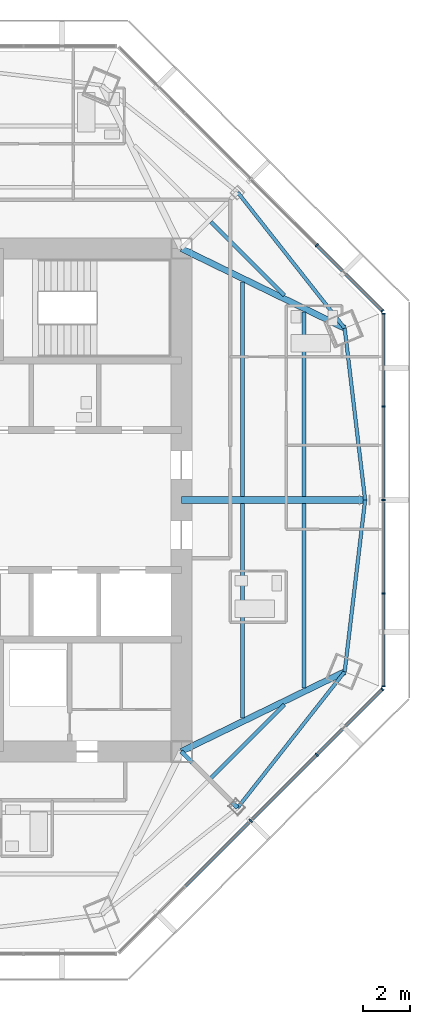
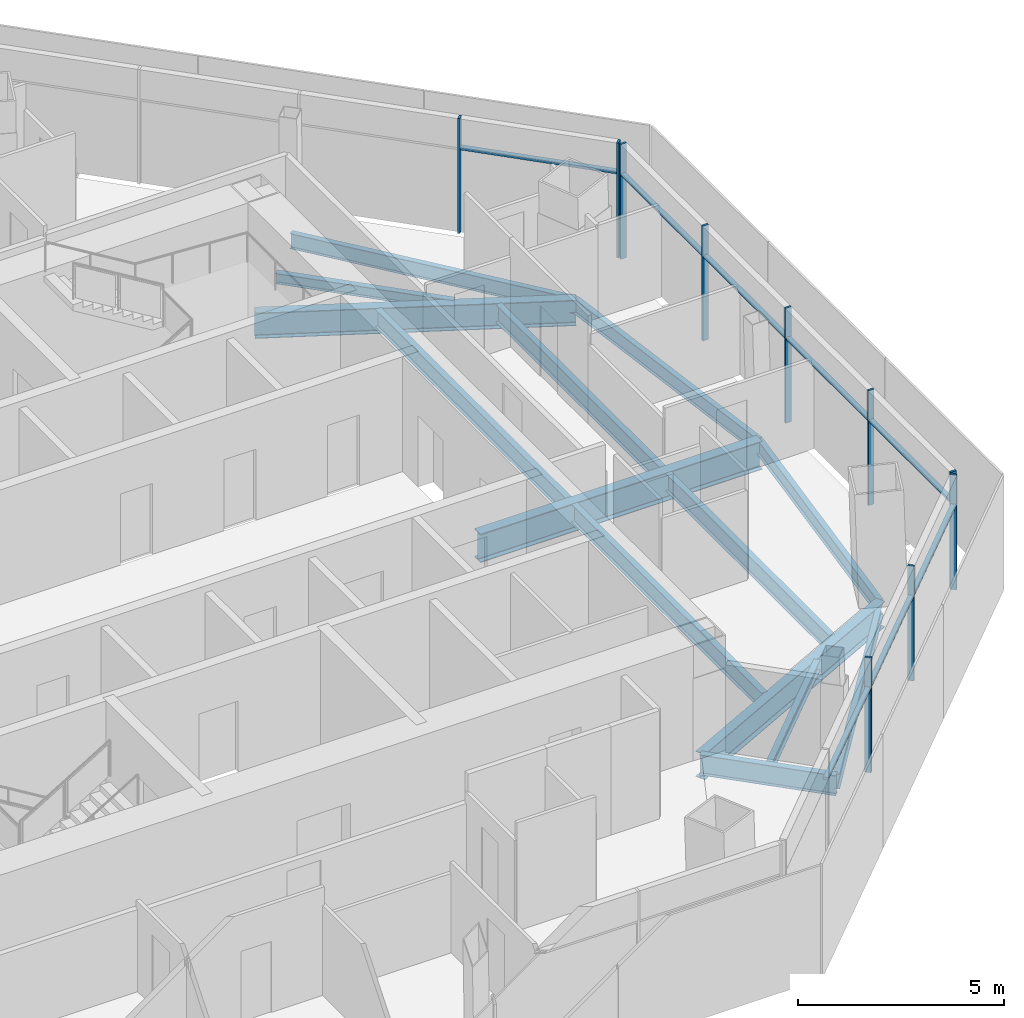
# One storey, part 5 of 15: 18 members, 14 beams, 3 elements without a shape of their own.
"""IFC4 building model written with IfcOpenShell, lengths in metres."""

from ifc_helpers import new_model, si_unit, direction, frame, origin, origin_2d, place, context, subcontext, project, spatial, rectangle, i_section, extrude, source, transform, mapped, material, material_profile, profile_set, type_object, type_shapes, element, aggregate, save


model = new_model("IFC4")

# Units and contexts
model_context = context("Model", 3, precision=1e-05, world=origin(), true_north=direction((0.0, 1.0)))
body_context = subcontext(model_context, "Body", "Model", "MODEL_VIEW")
ifc_project = project(units=[si_unit("LENGTHUNIT", "METRE"), si_unit("AREAUNIT", "SQUARE_METRE"), si_unit("VOLUMEUNIT", "CUBIC_METRE"), si_unit("PLANEANGLEUNIT", "RADIAN"), si_unit("MASSUNIT", "GRAM", prefix="KILO")], contexts=[model_context])

# Site, building, storey
site_placement = place(None, origin())
site = spatial("IfcSite", under=ifc_project, at=site_placement, CompositionType="ELEMENT")
building_placement = place(site_placement, origin())
building = spatial("IfcBuilding", under=site, at=building_placement, Name="Mashrafa Tower", CompositionType="ELEMENT")
storey_placement = place(building_placement, frame((0.0, 0.0, 301.39990234375)))
storey = spatial("IfcBuildingStorey", under=building, at=storey_placement, Name="L74", CompositionType="ELEMENT", Elevation=301.39990234375)

# Beams
ifc_material_1 = material(Name="Steel ASTM A992", Category="steel")
ifc_material_profile_1 = material_profile(ifc_material_1, i_section(OverallWidth=0.164794921875, OverallDepth=0.309814453125, WebThickness=0.005859375, FlangeThickness=0.009765625, FilletRadius=0.007568359375, at=origin_2d()), Name="W12X26")
ifc_profile_set_1 = profile_set([ifc_material_profile_1], Name="Steel ASTM A992")
beam_type_1 = type_object("IfcBeamType", Name="Beam W12X26", PredefinedType="BEAM", material=ifc_profile_set_1)
for number, where, z_axis, x_axis, name in (
    (1, (12.072509765625, 11.9462890625, -0.354736328125), (0.707106781187, -0.707106781187, 0.0), (0.707106781187, 0.707106781187, 0.0), "Floor beam L74 019"),
    (2, (15.230224609375, -8.78857421875, -0.354736328125), (-0.707106781187, -0.707106781187, 0.0), (0.707106781187, -0.707106781187, 0.0), "Floor beam L74 022"),
):
    element("IfcBeam", number, at=place(storey_placement, frame(where, z_axis=z_axis, x_axis=x_axis)), inside=storey, type_object=beam_type_1, Name=name, PredefinedType="BEAM", context=body_context, shape_type="SweptSolid", body=[
        extrude(i_section(OverallWidth=0.164794921875, OverallDepth=0.309814453125, WebThickness=0.005859375, FlangeThickness=0.009765625, FilletRadius=0.007568359375, at=origin_2d()), origin(), (0.0, 0.0, 1.0), 4.465576171875),
    ])
ifc_material_2 = material(Name="Steel ASTM A992", Category="steel")
ifc_material_profile_2 = material_profile(ifc_material_2, i_section(OverallWidth=0.15234375, OverallDepth=0.449462890625, WebThickness=0.007568359375, FlangeThickness=0.0107421875, FilletRadius=0.01025390625, at=origin_2d()), Name="W18X35")
ifc_profile_set_2 = profile_set([ifc_material_profile_2], Name="Steel ASTM A992")
beam_type_2 = type_object("IfcBeamType", Name="Beam W18X35", PredefinedType="BEAM", material=ifc_profile_set_2)
for number, where, z_axis, x_axis, name in (
    (3, (13.21875, -13.21875, -0.4248046875), (0.618594559835, 0.785710360466, 0.0), (-0.785710360466, 0.618594559835, 0.0), "Spandrel beam L74 052"),
    (4, (17.81591796875, -7.379638671875, -0.4248046875), (0.118165843912, 0.992993873764, 0.0), (-0.992993873764, 0.118165843912, 0.0), "Spandrel beam L74 054"),
    (5, (17.81591796875, 7.379638671875, -0.4248046875), (-0.618594559835, 0.785710360466, 0.0), (-0.785710360466, -0.618594559835, 0.0), "Spandrel beam L74 055"),
    (6, (18.694091796875, 0.0, -0.4248046875), (-0.118165843912, 0.992993873764, 0.0), (-0.992993873764, -0.118165843912, 0.0), "Spandrel beam L74 056"),
):
    element("IfcBeam", number, at=place(storey_placement, frame(where, z_axis=z_axis, x_axis=x_axis)), inside=storey, type_object=beam_type_2, Name=name, PredefinedType="BEAM", context=body_context, shape_type="SweptSolid", body=[
        extrude(i_section(OverallWidth=0.15234375, OverallDepth=0.449462890625, WebThickness=0.007568359375, FlangeThickness=0.0107421875, FilletRadius=0.01025390625, at=origin_2d()), origin(), (0.0, 0.0, 1.0), 7.431640625),
    ])
ifc_material_3 = material(Name="Steel ASTM A992", Category="steel")
ifc_material_profile_3 = material_profile(ifc_material_3, i_section(OverallWidth=0.165771484375, OverallDepth=0.5283203125, WebThickness=0.009765625, FlangeThickness=0.013671875, FilletRadius=0.012939453125, at=origin_2d()), Name="W21X50")
ifc_profile_set_3 = profile_set([ifc_material_profile_3], Name="Steel ASTM A992")
beam_type_3 = type_object("IfcBeamType", Name="Beam W21X50", PredefinedType="BEAM", material=ifc_profile_set_3)
for number, where, z_axis, x_axis, name in (
    (7, (13.431396484375, -0.14599609375, -0.464111328125), (0.0, -1.0, 0.0), (1.0, 0.0, 0.0), "Floor beam L74 020"),
    (8, (13.431396484375, 9.368896484375, -0.464111328125), (0.0, -1.0, 0.0), (1.0, 0.0, 0.0), "Floor beam L74 021"),
):
    element("IfcBeam", number, at=place(storey_placement, frame(where, z_axis=z_axis, x_axis=x_axis)), inside=storey, type_object=beam_type_3, Name=name, PredefinedType="BEAM", context=body_context, shape_type="SweptSolid", body=[
        extrude(i_section(OverallWidth=0.165771484375, OverallDepth=0.5283203125, WebThickness=0.009765625, FlangeThickness=0.013671875, FilletRadius=0.012939453125, at=origin_2d()), origin(), (0.0, 0.0, 1.0), 9.222900390625),
    ])
for number, where, z_axis, x_axis, name in (
    (9, (16.062744140625, -0.14599609375, -0.464111328125), (0.0, -1.0, 0.0), (1.0, 0.0, 0.0), "Floor beam L74 023"),
    (10, (16.062744140625, 8.0859375, -0.464111328125), (0.0, -1.0, 0.0), (1.0, 0.0, 0.0), "Floor beam L74 024"),
):
    element("IfcBeam", number, at=place(storey_placement, frame(where, z_axis=z_axis, x_axis=x_axis)), inside=storey, type_object=beam_type_3, Name=name, PredefinedType="BEAM", context=body_context, shape_type="SweptSolid", body=[
        extrude(i_section(OverallWidth=0.165771484375, OverallDepth=0.5283203125, WebThickness=0.009765625, FlangeThickness=0.013671875, FilletRadius=0.012939453125, at=origin_2d()), origin(), (0.0, 0.0, 1.0), 7.93994140625),
    ])
ifc_material_4 = material(Name="Steel ASTM A992", Category="steel")
ifc_material_profile_4 = material_profile(ifc_material_4, i_section(OverallWidth=0.177978515625, OverallDepth=0.599365234375, WebThickness=0.010009765625, FlangeThickness=0.012939453125, FilletRadius=0.012939453125, at=origin_2d()), Name="W24X55")
ifc_profile_set_4 = profile_set([ifc_material_profile_4], Name="Steel ASTM A992")
beam_type_4 = type_object("IfcBeamType", Name="Beam W24X55", PredefinedType="BEAM", material=ifc_profile_set_4)
beam_1_placement = place(storey_placement, frame((10.800048828125, -10.800048828125, -0.49951171875), z_axis=(0.707106781187, -0.707106781187, 0.0), x_axis=(0.707106781187, 0.707106781187, 0.0)))
element("IfcBeam", 11, at=beam_1_placement, inside=storey, type_object=beam_type_4, Name="Radial girder L74 035", PredefinedType="BEAM", context=body_context, shape_type="SweptSolid", body=[
    extrude(i_section(OverallWidth=0.177978515625, OverallDepth=0.599365234375, WebThickness=0.010009765625, FlangeThickness=0.012939453125, FilletRadius=0.012939453125, at=origin_2d()), origin(), (0.0, 0.0, 1.0), 3.420654296875),
])
ifc_material_5 = material(Name="Steel ASTM A992", Category="steel")
ifc_material_profile_5 = material_profile(ifc_material_5, i_section(OverallWidth=0.2666015625, OverallDepth=0.75439453125, WebThickness=0.01318359375, FlangeThickness=0.01708984375, FilletRadius=0.0166015625, at=origin_2d()), Name="W30X99")
ifc_profile_set_5 = profile_set([ifc_material_profile_5], Name="Steel ASTM A992")
beam_type_5 = type_object("IfcBeamType", Name="Beam W30X99", PredefinedType="BEAM", material=ifc_profile_set_5)
for number, where, z_axis, x_axis, name in (
    (12, (10.800048828125, -10.800048828125, -0.5771484375), (0.898867625946, 0.438220254011, 0.0), (-0.438220254011, 0.898867625946, 0.0), "Radial girder L74 036"),
    (13, (10.800048828125, 10.800048828125, -0.5771484375), (0.898867625946, -0.438220254011, 0.0), (0.438220254011, 0.898867625946, 0.0), "Radial girder L74 040"),
):
    element("IfcBeam", number, at=place(storey_placement, frame(where, z_axis=z_axis, x_axis=x_axis)), inside=storey, type_object=beam_type_5, Name=name, PredefinedType="BEAM", context=body_context, shape_type="SweptSolid", body=[
        extrude(i_section(OverallWidth=0.2666015625, OverallDepth=0.75439453125, WebThickness=0.01318359375, FlangeThickness=0.01708984375, FilletRadius=0.0166015625, at=origin_2d()), origin(), (0.0, 0.0, 1.0), 7.80517578125),
    ])
ifc_material_6 = material(Name="Steel ASTM A992", Category="steel")
ifc_material_profile_6 = material_profile(ifc_material_6, i_section(OverallWidth=0.2919921875, OverallDepth=0.8408203125, WebThickness=0.0146484375, FlangeThickness=0.021728515625, FilletRadius=0.017333984375, at=origin_2d()), Name="W33X130")
ifc_profile_set_6 = profile_set([ifc_material_profile_6], Name="Steel ASTM A992")
beam_type_6 = type_object("IfcBeamType", Name="Beam W33X130", PredefinedType="BEAM", material=ifc_profile_set_6)
beam_2_placement = place(storey_placement, frame((10.800048828125, 0.0, -0.620361328125), z_axis=(1.0, 0.0, 0.0), x_axis=(0.0, 1.0, 0.0)))
element("IfcBeam", 14, at=beam_2_placement, inside=storey, type_object=beam_type_6, Name="Radial girder L74 037", PredefinedType="BEAM", context=body_context, shape_type="SweptSolid", body=[
    extrude(i_section(OverallWidth=0.2919921875, OverallDepth=0.8408203125, WebThickness=0.0146484375, FlangeThickness=0.021728515625, FilletRadius=0.017333984375, at=origin_2d()), origin(), (0.0, 0.0, 1.0), 7.89404296875),
])

# Curtain wall, members
ifc_material_7 = material(Name="Unitised aluminium curtain wall", Category="aluminium")
curtain_wall_type = type_object("IfcCurtainWallType", Name="Apartment curtain wall, zone 4 CW-D 160 deep", PredefinedType="NOTDEFINED", material=ifc_material_7)
curtain_wall_1_placement = place(storey_placement, origin())
curtain_wall_1 = element("IfcCurtainWall", 15, at=curtain_wall_1_placement, inside=storey, type_object=curtain_wall_type, Name="Apartment curtain wall, zone 4 L74 east", PredefinedType="NOTDEFINED")
ifc_material_8 = material(Name="Extruded aluminium mullion", Category="aluminium")
ifc_material_profile_7 = material_profile(ifc_material_8, rectangle(XDim=0.159912109375, YDim=0.06005859375, at=origin_2d()), Name="Mullion 60x160")
ifc_profile_set_7 = profile_set([ifc_material_profile_7], Name="Extruded aluminium mullion")
member_type_1 = type_object("IfcMemberType", Name="Mullion CW-D 60 x 160", PredefinedType="MULLION", material=ifc_profile_set_7)
shared_shape_1 = source(origin(), body_context, "Body", "SweptSolid", [
    extrude(rectangle(XDim=0.159912109375, YDim=0.06005859375, at=origin_2d()), origin(), (0.0, 0.0, 1.0), 3.400146484375),
])
type_shapes(member_type_1, [shared_shape_1])
member_1_placement = place(storey_placement, frame((19.488525390625, -7.999267578125, 0.0), z_axis=(0.0, 0.0, 1.0), x_axis=(-1.0, 0.0, 0.0)))
member_1 = element("IfcMember", 16, at=member_1_placement, type_object=member_type_1, Name="CW-D mullion 1", PredefinedType="MULLION", context=body_context, shape_type="MappedRepresentation", body=[
    mapped(shared_shape_1, transform((0.0, 0.0, 0.0))),
])
member_2_placement = place(storey_placement, frame((19.488525390625, -4.0146484375, 0.0), z_axis=(0.0, 0.0, 1.0), x_axis=(-1.0, 0.0, 0.0)))
member_2 = element("IfcMember", 17, at=member_2_placement, type_object=member_type_1, Name="CW-D mullion 2", PredefinedType="MULLION", context=body_context, shape_type="MappedRepresentation", body=[
    mapped(shared_shape_1, transform((0.0, 0.0, 0.0))),
])
member_3_placement = place(storey_placement, frame((19.488525390625, 0.0, 0.0), z_axis=(0.0, 0.0, 1.0), x_axis=(-1.0, 0.0, 0.0)))
member_3 = element("IfcMember", 18, at=member_3_placement, type_object=member_type_1, Name="CW-D mullion 3", PredefinedType="MULLION", context=body_context, shape_type="MappedRepresentation", body=[
    mapped(shared_shape_1, transform((0.0, 0.0, 0.0))),
])
member_4_placement = place(storey_placement, frame((19.488525390625, 4.0146484375, 0.0), z_axis=(0.0, 0.0, 1.0), x_axis=(-1.0, 0.0, 0.0)))
member_4 = element("IfcMember", 19, at=member_4_placement, type_object=member_type_1, Name="CW-D mullion 4", PredefinedType="MULLION", context=body_context, shape_type="MappedRepresentation", body=[
    mapped(shared_shape_1, transform((0.0, 0.0, 0.0))),
])
member_5_placement = place(storey_placement, frame((19.488525390625, 7.999267578125, 0.0), z_axis=(0.0, 0.0, 1.0), x_axis=(-1.0, 0.0, 0.0)))
member_5 = element("IfcMember", 20, at=member_5_placement, type_object=member_type_1, Name="CW-D mullion 5", PredefinedType="MULLION", context=body_context, shape_type="MappedRepresentation", body=[
    mapped(shared_shape_1, transform((0.0, 0.0, 0.0))),
])

curtain_wall_2_placement = place(storey_placement, origin())
curtain_wall_2 = element("IfcCurtainWall", 21, at=curtain_wall_2_placement, inside=storey, type_object=curtain_wall_type, Name="Apartment curtain wall, zone 4 L74 north-east", PredefinedType="NOTDEFINED")
member_6_placement = place(storey_placement, frame((19.436767578125, 8.1240234375, 0.0), z_axis=(0.0, 0.0, 1.0), x_axis=(-0.707106781187, -0.707106781187, 0.0)))
member_6 = element("IfcMember", 22, at=member_6_placement, type_object=member_type_1, Name="CW-D mullion 1", PredefinedType="MULLION", context=body_context, shape_type="MappedRepresentation", body=[
    mapped(shared_shape_1, transform((0.0, 0.0, 0.0))),
])
member_7_placement = place(storey_placement, frame((16.619140625, 10.941650390625, 0.0), z_axis=(0.0, 0.0, 1.0), x_axis=(-0.707106781187, -0.707106781187, 0.0)))
member_7 = element("IfcMember", 23, at=member_7_placement, type_object=member_type_1, Name="CW-D mullion 2", PredefinedType="MULLION", context=body_context, shape_type="MappedRepresentation", body=[
    mapped(shared_shape_1, transform((0.0, 0.0, 0.0))),
])

curtain_wall_3_placement = place(storey_placement, origin())
curtain_wall_3 = element("IfcCurtainWall", 24, at=curtain_wall_3_placement, inside=storey, type_object=curtain_wall_type, Name="Apartment curtain wall, zone 4 L74 south-east", PredefinedType="NOTDEFINED")
member_8_placement = place(storey_placement, frame((13.780517578125, -13.780517578125, 0.0), z_axis=(0.0, 0.0, 1.0), x_axis=(-0.707106781187, 0.707106781187, 0.0)))
member_8 = element("IfcMember", 25, at=member_8_placement, type_object=member_type_1, Name="CW-D mullion 3", PredefinedType="MULLION", context=body_context, shape_type="MappedRepresentation", body=[
    mapped(shared_shape_1, transform((0.0, 0.0, 0.0))),
])
member_9_placement = place(storey_placement, frame((16.619140625, -10.941650390625, 0.0), z_axis=(0.0, 0.0, 1.0), x_axis=(-0.707106781187, 0.707106781187, 0.0)))
member_9 = element("IfcMember", 26, at=member_9_placement, type_object=member_type_1, Name="CW-D mullion 4", PredefinedType="MULLION", context=body_context, shape_type="MappedRepresentation", body=[
    mapped(shared_shape_1, transform((0.0, 0.0, 0.0))),
])
member_10_placement = place(storey_placement, frame((19.436767578125, -8.1240234375, 0.0), z_axis=(0.0, 0.0, 1.0), x_axis=(-0.707106781187, 0.707106781187, 0.0)))
member_10 = element("IfcMember", 27, at=member_10_placement, type_object=member_type_1, Name="CW-D mullion 5", PredefinedType="MULLION", context=body_context, shape_type="MappedRepresentation", body=[
    mapped(shared_shape_1, transform((0.0, 0.0, 0.0))),
])

# Member
ifc_material_9 = material(Name="Extruded aluminium transom", Category="aluminium")
ifc_material_profile_8 = material_profile(ifc_material_9, rectangle(XDim=0.1279296875, YDim=0.074951171875, at=origin_2d()), Name="Transom 75x128")
ifc_profile_set_8 = profile_set([ifc_material_profile_8], Name="Extruded aluminium transom")
member_type_2 = type_object("IfcMemberType", Name="Transom CW-D 75 x 128", PredefinedType="MULLION", material=ifc_profile_set_8)
shared_shape_2 = source(origin(), body_context, "Body", "SweptSolid", [
    extrude(rectangle(XDim=0.1279296875, YDim=0.074951171875, at=origin_2d()), origin(), (0.0, 0.0, 1.0), 3.924560546875),
])
member_11_placement = place(storey_placement, frame((19.488525390625, -7.96923828125, 2.5), z_axis=(0.0, 1.0, 0.0), x_axis=(-1.0, 0.0, 0.0)))
member_11 = element("IfcMember", 28, at=member_11_placement, type_object=member_type_2, Name="CW-D transom 1", PredefinedType="MULLION", context=body_context, shape_type="MappedRepresentation", body=[
    mapped(shared_shape_2, transform((0.0, 0.0, 0.0))),
])

member_12_placement = place(storey_placement, frame((19.488525390625, 4.044677734375, 2.5), z_axis=(0.0, 1.0, 0.0), x_axis=(-1.0, 0.0, 0.0)))
member_12 = element("IfcMember", 29, at=member_12_placement, type_object=member_type_2, Name="CW-D transom 4", PredefinedType="MULLION", context=body_context, shape_type="MappedRepresentation", body=[
    mapped(shared_shape_2, transform((0.0, 0.0, 0.0))),
])

member_13_placement = place(storey_placement, frame((19.41552734375, 8.145263671875, 2.5), z_axis=(-0.707106781187, 0.707106781187, 0.0), x_axis=(-0.707106781187, -0.707106781187, 0.0)))
member_13 = element("IfcMember", 30, at=member_13_placement, type_object=member_type_2, Name="CW-D transom 1", PredefinedType="MULLION", context=body_context, shape_type="MappedRepresentation", body=[
    mapped(shared_shape_2, transform((0.0, 0.0, 0.0))),
])

aggregate(curtain_wall_2, [member_6, member_7, member_13])

member_14_placement = place(storey_placement, frame((16.640380859375, -10.92041015625, 2.5), z_axis=(0.707106781187, 0.707106781187, 0.0), x_axis=(-0.707106781187, 0.707106781187, 0.0)))
member_14 = element("IfcMember", 31, at=member_14_placement, type_object=member_type_2, Name="CW-D transom 4", PredefinedType="MULLION", context=body_context, shape_type="MappedRepresentation", body=[
    mapped(shared_shape_2, transform((0.0, 0.0, 0.0))),
])

shared_shape_3 = source(origin(), body_context, "Body", "SweptSolid", [
    extrude(rectangle(XDim=0.1279296875, YDim=0.074951171875, at=origin_2d()), origin(), (0.0, 0.0, 1.0), 3.95458984375),
])
type_shapes(member_type_2, [shared_shape_2, shared_shape_3])
member_15_placement = place(storey_placement, frame((19.488525390625, -3.984619140625, 2.5), z_axis=(0.0, 1.0, 0.0), x_axis=(-1.0, 0.0, 0.0)))
member_15 = element("IfcMember", 32, at=member_15_placement, type_object=member_type_2, Name="CW-D transom 2", PredefinedType="MULLION", context=body_context, shape_type="MappedRepresentation", body=[
    mapped(shared_shape_3, transform((0.0, 0.0, 0.0))),
])

member_16_placement = place(storey_placement, frame((19.488525390625, 0.030029296875, 2.5), z_axis=(0.0, 1.0, 0.0), x_axis=(-1.0, 0.0, 0.0)))
member_16 = element("IfcMember", 33, at=member_16_placement, type_object=member_type_2, Name="CW-D transom 3", PredefinedType="MULLION", context=body_context, shape_type="MappedRepresentation", body=[
    mapped(shared_shape_3, transform((0.0, 0.0, 0.0))),
])

aggregate(curtain_wall_1, [member_1, member_2, member_3, member_4, member_5, member_11, member_15, member_16, member_12])

member_17_placement = place(storey_placement, frame((10.962890625, -16.59814453125, 2.5), z_axis=(0.707106781187, 0.707106781187, 0.0), x_axis=(-0.707106781187, 0.707106781187, 0.0)))
member_17 = element("IfcMember", 34, at=member_17_placement, type_object=member_type_2, Name="CW-D transom 2", PredefinedType="MULLION", context=body_context, shape_type="MappedRepresentation", body=[
    mapped(shared_shape_3, transform((0.0, 0.0, 0.0))),
])

member_18_placement = place(storey_placement, frame((13.8017578125, -13.75927734375, 2.5), z_axis=(0.707106781187, 0.707106781187, 0.0), x_axis=(-0.707106781187, 0.707106781187, 0.0)))
member_18 = element("IfcMember", 35, at=member_18_placement, type_object=member_type_2, Name="CW-D transom 3", PredefinedType="MULLION", context=body_context, shape_type="MappedRepresentation", body=[
    mapped(shared_shape_3, transform((0.0, 0.0, 0.0))),
])

aggregate(curtain_wall_3, [member_8, member_9, member_10, member_17, member_18, member_14])

save(model, "model.ifc")
